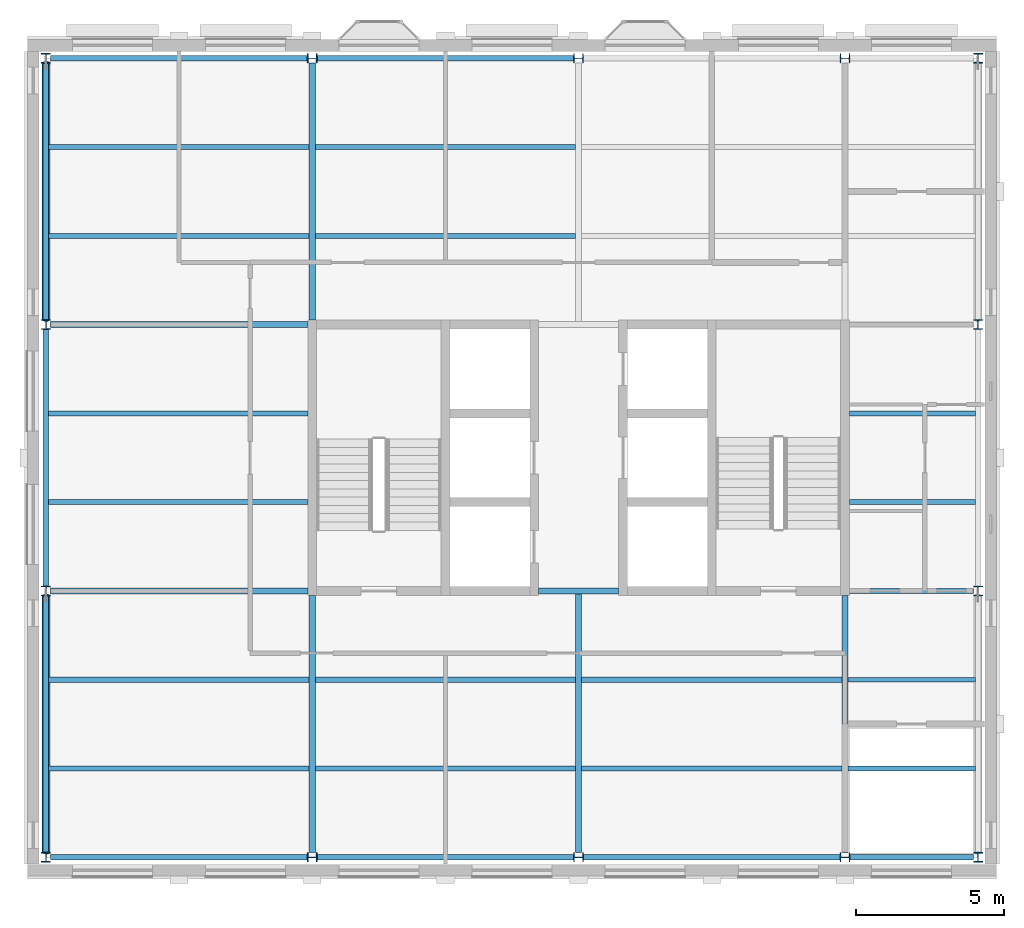
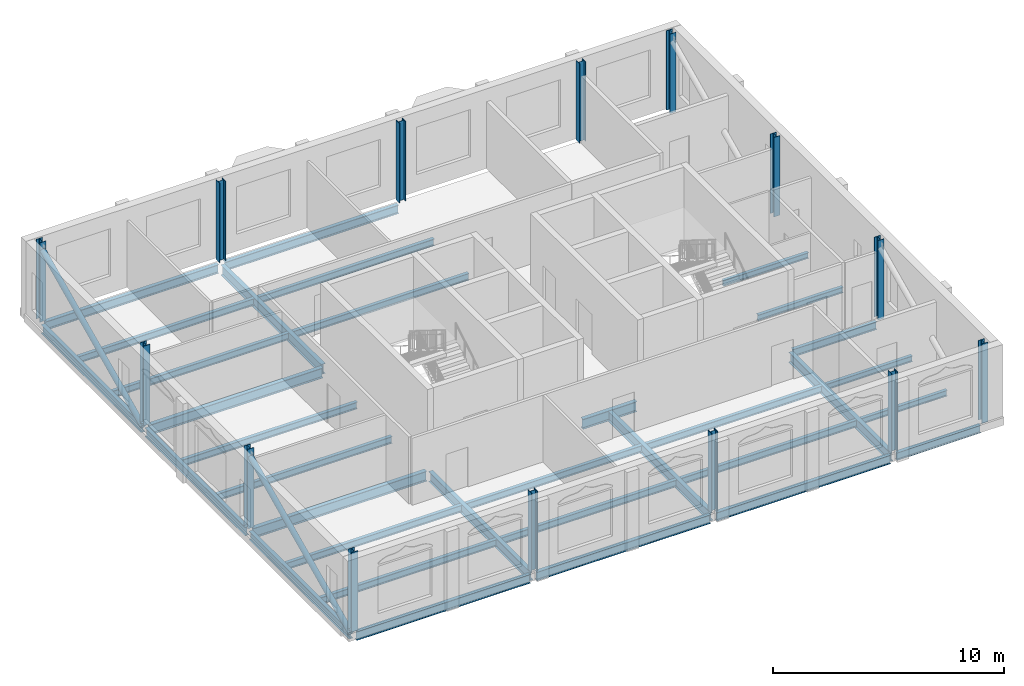
# One storey, part 1 of 9: 33 beams, 14 columns, 2 members.
"""IFC4 building model written with IfcOpenShell, lengths in metres."""

from ifc_helpers import new_model, si_unit, direction, frame, origin, origin_2d, place, context, subcontext, project, spatial, hollow_circle, i_section, extrude, material, material_profile, profile_set, type_object, element, save


model = new_model("IFC4")

# Units and contexts
model_context = context("Model", 3, precision=1e-05, world=origin(), true_north=direction((0.0, 1.0)))
body_context = subcontext(model_context, "Body", "Model", "MODEL_VIEW")
ifc_project = project(units=[si_unit("LENGTHUNIT", "METRE"), si_unit("AREAUNIT", "SQUARE_METRE"), si_unit("VOLUMEUNIT", "CUBIC_METRE"), si_unit("PLANEANGLEUNIT", "RADIAN"), si_unit("MASSUNIT", "GRAM", prefix="KILO")], contexts=[model_context])

# Site, building, storey
site_placement = place(None, origin())
site = spatial("IfcSite", under=ifc_project, at=site_placement, CompositionType="ELEMENT")
building_placement = place(site_placement, origin())
building = spatial("IfcBuilding", under=site, at=building_placement, Name="Hortulan Conservatory and Botanical Research Centre", CompositionType="ELEMENT")
storey_placement = place(building_placement, frame((0.0, 0.0, 31.800048828125)))
storey = spatial("IfcBuildingStorey", under=building, at=storey_placement, Name="L07", CompositionType="ELEMENT", Elevation=31.800048828125)

# Columns
ifc_material_1 = material(Name="Steel Grade 300PLUS (AS/NZS 3679.1, 280 MPa minimum yield)", Category="steel")
ifc_material_profile_1 = material_profile(ifc_material_1, i_section(OverallWidth=0.31103515625, OverallDepth=0.326904296875, WebThickness=0.015625, FlangeThickness=0.02490234375, FilletRadius=0.0166015625, at=origin_2d()), Name="310UC158")
ifc_profile_set_1 = profile_set([ifc_material_profile_1], Name="Steel Grade 300PLUS (AS/NZS 3679.1, 280 MPa minimum yield)")
column_type = type_object("IfcColumnType", Name="Tower Column 310UC158", PredefinedType="COLUMN", material=ifc_profile_set_1)
for number, where, z_axis, x_axis, name in (
    (1, (0.0, 0.0, 0.0), (0.0, 0.0, 1.0), (1.0, 0.0, 0.0), "310UC158 column"),
    (2, (0.0, 9.0, 0.0), (0.0, 0.0, 1.0), (1.0, 0.0, 0.0), "310UC158 column"),
    (3, (0.0, 18.0, 0.0), (0.0, 0.0, 1.0), (1.0, 0.0, 0.0), "310UC158 column"),
    (4, (0.0, 27.0, 0.0), (0.0, 0.0, 1.0), (1.0, 0.0, 0.0), "310UC158 column"),
    (5, (9.0, 0.0, 0.0), (0.0, 0.0, 1.0), (0.0, 1.0, 0.0), "310UC158 column"),
    (6, (9.0, 27.0, 0.0), (0.0, 0.0, 1.0), (0.0, 1.0, 0.0), "310UC158 column"),
    (7, (18.0, 0.0, 0.0), (0.0, 0.0, 1.0), (0.0, 1.0, 0.0), "310UC158 column"),
    (8, (18.0, 27.0, 0.0), (0.0, 0.0, 1.0), (0.0, 1.0, 0.0), "310UC158 column"),
    (9, (27.0, 0.0, 0.0), (0.0, 0.0, 1.0), (0.0, 1.0, 0.0), "310UC158 column"),
    (10, (27.0, 27.0, 0.0), (0.0, 0.0, 1.0), (0.0, 1.0, 0.0), "310UC158 column"),
    (11, (31.5, 0.0, 0.0), (0.0, 0.0, 1.0), (1.0, 0.0, 0.0), "310UC158 column"),
    (12, (31.5, 9.0, 0.0), (0.0, 0.0, 1.0), (1.0, 0.0, 0.0), "310UC158 column"),
    (13, (31.5, 18.0, 0.0), (0.0, 0.0, 1.0), (1.0, 0.0, 0.0), "310UC158 column"),
    (14, (31.5, 27.0, 0.0), (0.0, 0.0, 1.0), (1.0, 0.0, 0.0), "310UC158 column"),
):
    element("IfcColumn", number, at=place(storey_placement, frame(where, z_axis=z_axis, x_axis=x_axis)), inside=storey, type_object=column_type, Name=name, PredefinedType="COLUMN", context=body_context, shape_type="SweptSolid", body=[
        extrude(i_section(OverallWidth=0.31103515625, OverallDepth=0.326904296875, WebThickness=0.015625, FlangeThickness=0.02490234375, FilletRadius=0.0166015625, at=origin_2d()), origin(), (0.0, 0.0, 1.0), 4.199951171875),
    ])

# Members
ifc_material_2 = material(Name="Steel Grade C350L0 (350 MPa, AS/NZS 1163)", Category="steel")
ifc_material_profile_2 = material_profile(ifc_material_2, hollow_circle(Radius=0.136474609375, WallThickness=0.00927734375, at=origin_2d()), Name="273.1x9.3CHS")
ifc_profile_set_2 = profile_set([ifc_material_profile_2], Name="Steel Grade C350L0 (350 MPa, AS/NZS 1163)")
member_type = type_object("IfcMemberType", Name="Brace 273.1x9.3CHS", PredefinedType="BRACE", material=ifc_profile_set_2)
for number, where, z_axis, x_axis, name in (
    (15, (0.0, 0.16357421875, -0.28369140625), (0.0, 0.906181836611, 0.422888258286), (-1.0, 0.0, 0.0), "273.1x9.3CHS brace"),
    (16, (0.0, 18.16357421875, -0.28369140625), (0.0, 0.906181836611, 0.422888258286), (-1.0, 0.0, 0.0), "273.1x9.3CHS brace"),
):
    element("IfcMember", number, at=place(storey_placement, frame(where, z_axis=z_axis, x_axis=x_axis)), inside=storey, type_object=member_type, Name=name, PredefinedType="BRACE", context=body_context, shape_type="SweptSolid", body=[
        extrude(hollow_circle(Radius=0.136474609375, WallThickness=0.00927734375, at=origin_2d()), origin(), (0.0, 0.0, 1.0), 9.57080078125),
    ])

# Beams
ifc_material_profile_3 = material_profile(ifc_material_1, i_section(OverallWidth=0.177978515625, OverallDepth=0.403076171875, WebThickness=0.007568359375, FlangeThickness=0.010986328125, FilletRadius=0.011474609375, at=origin_2d()), Name="410UB53.7")
ifc_profile_set_3 = profile_set([ifc_material_profile_3], Name="Steel Grade 300PLUS (AS/NZS 3679.1, 280 MPa minimum yield)")
beam_type_1 = type_object("IfcBeamType", Name="Primary Beam 410UB53.7", PredefinedType="BEAM", material=ifc_profile_set_3)
beam_1_placement = place(storey_placement, frame((27.16357421875, 0.0, -0.33154296875), z_axis=(1.0, 0.0, 0.0), x_axis=(0.0, 1.0, 0.0)))
element("IfcBeam", 17, at=beam_1_placement, inside=storey, type_object=beam_type_1, Name="410UB53.7 girder", PredefinedType="BEAM", context=body_context, shape_type="SweptSolid", body=[
    extrude(i_section(OverallWidth=0.177978515625, OverallDepth=0.403076171875, WebThickness=0.007568359375, FlangeThickness=0.010986328125, FilletRadius=0.011474609375, at=origin_2d()), origin(), (0.0, 0.0, 1.0), 4.180908203125),
])
beam_2_placement = place(storey_placement, frame((27.14990234375, 9.0, -0.33154296875), z_axis=(1.0, 0.0, 0.0), x_axis=(0.0, 1.0, 0.0)))
element("IfcBeam", 18, at=beam_2_placement, inside=storey, type_object=beam_type_1, Name="410UB53.7 girder", PredefinedType="BEAM", context=body_context, shape_type="SweptSolid", body=[
    extrude(i_section(OverallWidth=0.177978515625, OverallDepth=0.403076171875, WebThickness=0.007568359375, FlangeThickness=0.010986328125, FilletRadius=0.011474609375, at=origin_2d()), origin(), (0.0, 0.0, 1.0), 4.194580078125),
])
ifc_material_profile_4 = material_profile(ifc_material_1, i_section(OverallWidth=0.19091796875, OverallDepth=0.4599609375, WebThickness=0.010009765625, FlangeThickness=0.01611328125, FilletRadius=0.011474609375, at=origin_2d()), Name="460UB82.1")
ifc_profile_set_4 = profile_set([ifc_material_profile_4], Name="Steel Grade 300PLUS (AS/NZS 3679.1, 280 MPa minimum yield)")
beam_type_2 = type_object("IfcBeamType", Name="Primary Beam 460UB82.1", PredefinedType="BEAM", material=ifc_profile_set_4)
beam_3_placement = place(storey_placement, frame((0.0, 0.16357421875, -0.360107421875), z_axis=(0.0, 1.0, 0.0), x_axis=(-1.0, 0.0, 0.0)))
element("IfcBeam", 19, at=beam_3_placement, inside=storey, type_object=beam_type_2, Name="460UB82.1 girder", PredefinedType="BEAM", context=body_context, shape_type="SweptSolid", body=[
    extrude(i_section(OverallWidth=0.19091796875, OverallDepth=0.4599609375, WebThickness=0.010009765625, FlangeThickness=0.01611328125, FilletRadius=0.011474609375, at=origin_2d()), origin(), (0.0, 0.0, 1.0), 8.6728515625),
])
beam_4_placement = place(storey_placement, frame((0.155517578125, 0.0, -0.360107421875), z_axis=(1.0, 0.0, 0.0), x_axis=(0.0, 1.0, 0.0)))
element("IfcBeam", 20, at=beam_4_placement, inside=storey, type_object=beam_type_2, Name="460UB82.1 girder", PredefinedType="BEAM", context=body_context, shape_type="SweptSolid", body=[
    extrude(i_section(OverallWidth=0.19091796875, OverallDepth=0.4599609375, WebThickness=0.010009765625, FlangeThickness=0.01611328125, FilletRadius=0.011474609375, at=origin_2d()), origin(), (0.0, 0.0, 1.0), 8.680908203125),
])
for number, where, z_axis, x_axis, name in (
    (21, (0.0, 9.16357421875, -0.360107421875), (0.0, 1.0, 0.0), (-1.0, 0.0, 0.0), "460UB82.1 girder"),
    (22, (0.0, 18.16357421875, -0.360107421875), (0.0, 1.0, 0.0), (-1.0, 0.0, 0.0), "460UB82.1 girder"),
):
    element("IfcBeam", number, at=place(storey_placement, frame(where, z_axis=z_axis, x_axis=x_axis)), inside=storey, type_object=beam_type_2, Name=name, PredefinedType="BEAM", context=body_context, shape_type="SweptSolid", body=[
        extrude(i_section(OverallWidth=0.19091796875, OverallDepth=0.4599609375, WebThickness=0.010009765625, FlangeThickness=0.01611328125, FilletRadius=0.011474609375, at=origin_2d()), origin(), (0.0, 0.0, 1.0), 8.6728515625),
    ])
beam_5_placement = place(storey_placement, frame((0.155517578125, 27.0, -0.360107421875), z_axis=(1.0, 0.0, 0.0), x_axis=(0.0, 1.0, 0.0)))
element("IfcBeam", 23, at=beam_5_placement, inside=storey, type_object=beam_type_2, Name="460UB82.1 girder", PredefinedType="BEAM", context=body_context, shape_type="SweptSolid", body=[
    extrude(i_section(OverallWidth=0.19091796875, OverallDepth=0.4599609375, WebThickness=0.010009765625, FlangeThickness=0.01611328125, FilletRadius=0.011474609375, at=origin_2d()), origin(), (0.0, 0.0, 1.0), 8.680908203125),
])
for number, where, z_axis, x_axis, name in (
    (24, (9.16357421875, 0.0, -0.360107421875), (1.0, 0.0, 0.0), (0.0, 1.0, 0.0), "460UB82.1 girder"),
    (25, (9.16357421875, 27.0, -0.360107421875), (1.0, 0.0, 0.0), (0.0, 1.0, 0.0), "460UB82.1 girder"),
    (26, (18.16357421875, 0.0, -0.360107421875), (1.0, 0.0, 0.0), (0.0, 1.0, 0.0), "460UB82.1 girder"),
):
    element("IfcBeam", number, at=place(storey_placement, frame(where, z_axis=z_axis, x_axis=x_axis)), inside=storey, type_object=beam_type_2, Name=name, PredefinedType="BEAM", context=body_context, shape_type="SweptSolid", body=[
        extrude(i_section(OverallWidth=0.19091796875, OverallDepth=0.4599609375, WebThickness=0.010009765625, FlangeThickness=0.01611328125, FilletRadius=0.011474609375, at=origin_2d()), origin(), (0.0, 0.0, 1.0), 8.6728515625),
    ])
ifc_material_profile_5 = material_profile(ifc_material_1, i_section(OverallWidth=0.208984375, OverallDepth=0.532958984375, WebThickness=0.01025390625, FlangeThickness=0.015625, FilletRadius=0.013916015625, at=origin_2d()), Name="530UB92.4")
ifc_profile_set_5 = profile_set([ifc_material_profile_5], Name="Steel Grade 300PLUS (AS/NZS 3679.1, 280 MPa minimum yield)")
beam_type_3 = type_object("IfcBeamType", Name="Primary Beam 530UB92.4", PredefinedType="BEAM", material=ifc_profile_set_5)
for number, where, z_axis, x_axis, name in (
    (27, (0.155517578125, 9.0, -0.396484375), (1.0, 0.0, 0.0), (0.0, 1.0, 0.0), "530UB92.4 girder"),
    (28, (0.155517578125, 18.0, -0.396484375), (1.0, 0.0, 0.0), (0.0, 1.0, 0.0), "530UB92.4 girder"),
    (29, (9.0, 0.155517578125, -0.396484375), (0.0, 1.0, 0.0), (-1.0, 0.0, 0.0), "530UB92.4 girder"),
    (30, (9.0, 18.14990234375, -0.396484375), (0.0, 1.0, 0.0), (-1.0, 0.0, 0.0), "530UB92.4 girder"),
):
    element("IfcBeam", number, at=place(storey_placement, frame(where, z_axis=z_axis, x_axis=x_axis)), inside=storey, type_object=beam_type_3, Name=name, PredefinedType="BEAM", context=body_context, shape_type="SweptSolid", body=[
        extrude(i_section(OverallWidth=0.208984375, OverallDepth=0.532958984375, WebThickness=0.01025390625, FlangeThickness=0.015625, FilletRadius=0.013916015625, at=origin_2d()), origin(), (0.0, 0.0, 1.0), 8.694580078125),
    ])
beam_6_placement = place(storey_placement, frame((16.64990234375, 9.0, -0.396484375), z_axis=(1.0, 0.0, 0.0), x_axis=(0.0, 1.0, 0.0)))
element("IfcBeam", 31, at=beam_6_placement, inside=storey, type_object=beam_type_3, Name="530UB92.4 girder", PredefinedType="BEAM", context=body_context, shape_type="SweptSolid", body=[
    extrude(i_section(OverallWidth=0.208984375, OverallDepth=0.532958984375, WebThickness=0.01025390625, FlangeThickness=0.015625, FilletRadius=0.013916015625, at=origin_2d()), origin(), (0.0, 0.0, 1.0), 2.7001953125),
])
beam_7_placement = place(storey_placement, frame((18.0, 0.155517578125, -0.396484375), z_axis=(0.0, 1.0, 0.0), x_axis=(-1.0, 0.0, 0.0)))
element("IfcBeam", 32, at=beam_7_placement, inside=storey, type_object=beam_type_3, Name="530UB92.4 girder", PredefinedType="BEAM", context=body_context, shape_type="SweptSolid", body=[
    extrude(i_section(OverallWidth=0.208984375, OverallDepth=0.532958984375, WebThickness=0.01025390625, FlangeThickness=0.015625, FilletRadius=0.013916015625, at=origin_2d()), origin(), (0.0, 0.0, 1.0), 8.844482421875),
])
beam_8_placement = place(storey_placement, frame((27.0, 0.155517578125, -0.396484375), z_axis=(0.0, 1.0, 0.0), x_axis=(-1.0, 0.0, 0.0)))
element("IfcBeam", 33, at=beam_8_placement, inside=storey, type_object=beam_type_3, Name="530UB92.4 girder", PredefinedType="BEAM", context=body_context, shape_type="SweptSolid", body=[
    extrude(i_section(OverallWidth=0.208984375, OverallDepth=0.532958984375, WebThickness=0.01025390625, FlangeThickness=0.015625, FilletRadius=0.013916015625, at=origin_2d()), origin(), (0.0, 0.0, 1.0), 8.694580078125),
])
ifc_material_profile_6 = material_profile(ifc_material_1, i_section(OverallWidth=0.1650390625, OverallDepth=0.303955078125, WebThickness=0.006103515625, FlangeThickness=0.01025390625, FilletRadius=0.011474609375, at=origin_2d()), Name="310UB40.4")
ifc_profile_set_6 = profile_set([ifc_material_profile_6], Name="Steel Grade 300PLUS (AS/NZS 3679.1, 280 MPa minimum yield)")
beam_type_4 = type_object("IfcBeamType", Name="Secondary Beam 310UB40.4", PredefinedType="JOIST", material=ifc_profile_set_6)
for number, where, z_axis, x_axis, name in (
    (34, (27.1044921875, 3.0, -0.281982421875), (1.0, 0.0, 0.0), (0.0, 1.0, 0.0), "310UB40.4 secondary beam"),
    (35, (27.1044921875, 6.0, -0.281982421875), (1.0, 0.0, 0.0), (0.0, 1.0, 0.0), "310UB40.4 secondary beam"),
):
    element("IfcBeam", number, at=place(storey_placement, frame(where, z_axis=z_axis, x_axis=x_axis)), inside=storey, type_object=beam_type_4, Name=name, PredefinedType="JOIST", context=body_context, shape_type="SweptSolid", body=[
        extrude(i_section(OverallWidth=0.1650390625, OverallDepth=0.303955078125, WebThickness=0.006103515625, FlangeThickness=0.01025390625, FilletRadius=0.011474609375, at=origin_2d()), origin(), (0.0, 0.0, 1.0), 4.300048828125),
    ])
for number, where, z_axis, x_axis, name in (
    (36, (27.14990234375, 12.0, -0.281982421875), (1.0, 0.0, 0.0), (0.0, 1.0, 0.0), "310UB40.4 secondary beam"),
    (37, (27.14990234375, 15.0, -0.281982421875), (1.0, 0.0, 0.0), (0.0, 1.0, 0.0), "310UB40.4 secondary beam"),
):
    element("IfcBeam", number, at=place(storey_placement, frame(where, z_axis=z_axis, x_axis=x_axis)), inside=storey, type_object=beam_type_4, Name=name, PredefinedType="JOIST", context=body_context, shape_type="SweptSolid", body=[
        extrude(i_section(OverallWidth=0.1650390625, OverallDepth=0.303955078125, WebThickness=0.006103515625, FlangeThickness=0.01025390625, FilletRadius=0.011474609375, at=origin_2d()), origin(), (0.0, 0.0, 1.0), 4.254638671875),
    ])
ifc_material_profile_7 = material_profile(ifc_material_1, i_section(OverallWidth=0.172119140625, OverallDepth=0.35888671875, WebThickness=0.008056640625, FlangeThickness=0.012939453125, FilletRadius=0.011474609375, at=origin_2d()), Name="360UB56.7")
ifc_profile_set_7 = profile_set([ifc_material_profile_7], Name="Steel Grade 300PLUS (AS/NZS 3679.1, 280 MPa minimum yield)")
beam_type_5 = type_object("IfcBeamType", Name="Secondary Beam 360UB56.7", PredefinedType="JOIST", material=ifc_profile_set_7)
for number, where, z_axis, x_axis, name in (
    (38, (0.095458984375, 3.0, -0.3095703125), (1.0, 0.0, 0.0), (0.0, 1.0, 0.0), "360UB56.7 secondary beam"),
    (39, (0.095458984375, 6.0, -0.3095703125), (1.0, 0.0, 0.0), (0.0, 1.0, 0.0), "360UB56.7 secondary beam"),
):
    element("IfcBeam", number, at=place(storey_placement, frame(where, z_axis=z_axis, x_axis=x_axis)), inside=storey, type_object=beam_type_5, Name=name, PredefinedType="JOIST", context=body_context, shape_type="SweptSolid", body=[
        extrude(i_section(OverallWidth=0.172119140625, OverallDepth=0.35888671875, WebThickness=0.008056640625, FlangeThickness=0.012939453125, FilletRadius=0.011474609375, at=origin_2d()), origin(), (0.0, 0.0, 1.0), 8.800048828125),
    ])
for number, where, z_axis, x_axis, name in (
    (40, (0.095458984375, 12.0, -0.3095703125), (1.0, 0.0, 0.0), (0.0, 1.0, 0.0), "360UB56.7 secondary beam"),
    (41, (0.095458984375, 15.0, -0.3095703125), (1.0, 0.0, 0.0), (0.0, 1.0, 0.0), "360UB56.7 secondary beam"),
):
    element("IfcBeam", number, at=place(storey_placement, frame(where, z_axis=z_axis, x_axis=x_axis)), inside=storey, type_object=beam_type_5, Name=name, PredefinedType="JOIST", context=body_context, shape_type="SweptSolid", body=[
        extrude(i_section(OverallWidth=0.172119140625, OverallDepth=0.35888671875, WebThickness=0.008056640625, FlangeThickness=0.012939453125, FilletRadius=0.011474609375, at=origin_2d()), origin(), (0.0, 0.0, 1.0), 8.754638671875),
    ])
for number, where, z_axis, x_axis, name in (
    (42, (0.095458984375, 21.0, -0.3095703125), (1.0, 0.0, 0.0), (0.0, 1.0, 0.0), "360UB56.7 secondary beam"),
    (43, (0.095458984375, 24.0, -0.3095703125), (1.0, 0.0, 0.0), (0.0, 1.0, 0.0), "360UB56.7 secondary beam"),
):
    element("IfcBeam", number, at=place(storey_placement, frame(where, z_axis=z_axis, x_axis=x_axis)), inside=storey, type_object=beam_type_5, Name=name, PredefinedType="JOIST", context=body_context, shape_type="SweptSolid", body=[
        extrude(i_section(OverallWidth=0.172119140625, OverallDepth=0.35888671875, WebThickness=0.008056640625, FlangeThickness=0.012939453125, FilletRadius=0.011474609375, at=origin_2d()), origin(), (0.0, 0.0, 1.0), 8.800048828125),
    ])
for number, where, z_axis, x_axis, name in (
    (44, (9.1044921875, 3.0, -0.3095703125), (1.0, 0.0, 0.0), (0.0, 1.0, 0.0), "360UB56.7 secondary beam"),
    (45, (9.1044921875, 6.0, -0.3095703125), (1.0, 0.0, 0.0), (0.0, 1.0, 0.0), "360UB56.7 secondary beam"),
    (46, (9.1044921875, 21.0, -0.3095703125), (1.0, 0.0, 0.0), (0.0, 1.0, 0.0), "360UB56.7 secondary beam"),
    (47, (9.1044921875, 24.0, -0.3095703125), (1.0, 0.0, 0.0), (0.0, 1.0, 0.0), "360UB56.7 secondary beam"),
    (48, (18.1044921875, 3.0, -0.3095703125), (1.0, 0.0, 0.0), (0.0, 1.0, 0.0), "360UB56.7 secondary beam"),
    (49, (18.1044921875, 6.0, -0.3095703125), (1.0, 0.0, 0.0), (0.0, 1.0, 0.0), "360UB56.7 secondary beam"),
):
    element("IfcBeam", number, at=place(storey_placement, frame(where, z_axis=z_axis, x_axis=x_axis)), inside=storey, type_object=beam_type_5, Name=name, PredefinedType="JOIST", context=body_context, shape_type="SweptSolid", body=[
        extrude(i_section(OverallWidth=0.172119140625, OverallDepth=0.35888671875, WebThickness=0.008056640625, FlangeThickness=0.012939453125, FilletRadius=0.011474609375, at=origin_2d()), origin(), (0.0, 0.0, 1.0), 8.791015625),
    ])

save(model, "model.ifc")
